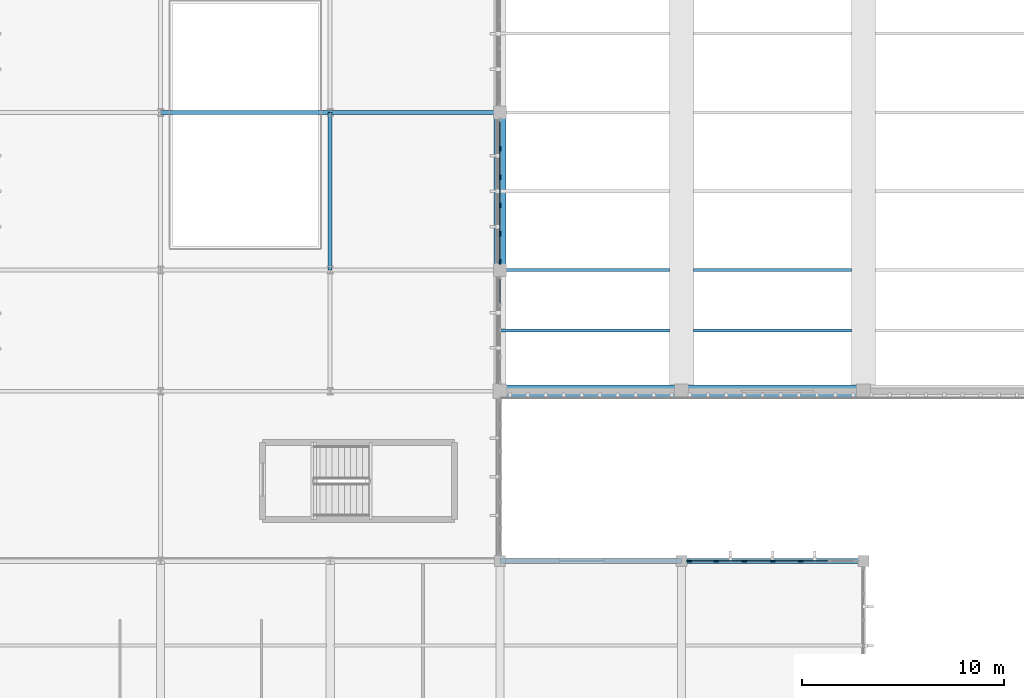
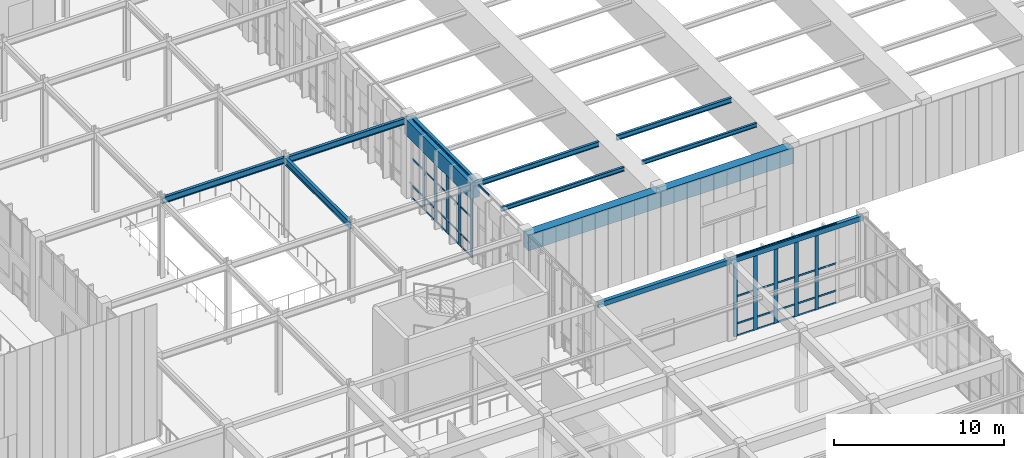
# One storey, part 25 of 105: 51 members, 12 beams, 3 elements without a shape of their own.
"""IFC4 building model written with IfcOpenShell, lengths in metres."""

from ifc_helpers import new_model, si_unit, direction, frame, origin, origin_2d, place, context, subcontext, project, spatial, rectangle, hollow_rectangle, i_section, extrude, material, material_profile, profile_set, type_object, element, aggregate, save


model = new_model("IFC4")

# Units and contexts
model_context = context("Model", 3, precision=1e-05, world=origin(), true_north=direction((0.0, 1.0)))
body_context = subcontext(model_context, "Body", "Model", "MODEL_VIEW")
ifc_project = project(units=[si_unit("LENGTHUNIT", "METRE"), si_unit("AREAUNIT", "SQUARE_METRE"), si_unit("VOLUMEUNIT", "CUBIC_METRE"), si_unit("PLANEANGLEUNIT", "RADIAN"), si_unit("MASSUNIT", "GRAM", prefix="KILO")], contexts=[model_context])

# Site, building, storey
site_placement = place(None, origin())
site = spatial("IfcSite", under=ifc_project, at=site_placement, CompositionType="ELEMENT")
building_placement = place(site_placement, origin())
building = spatial("IfcBuilding", under=site, at=building_placement, Name="Tizgana Railside Sports Hall", CompositionType="ELEMENT")
storey_placement = place(building_placement, frame((0.0, 0.0, 6.0)))
storey = spatial("IfcBuildingStorey", under=building, at=storey_placement, Name="L01", CompositionType="ELEMENT", Elevation=6.0)

# Beams
ifc_material_1 = material(Name="Concrete C40/50", Category="concrete")
ifc_material_profile_1 = material_profile(ifc_material_1, rectangle(XDim=0.60009765625, YDim=1.14990234375, at=origin_2d()), Name="RCB 600x1150")
ifc_profile_set_1 = profile_set([ifc_material_profile_1], Name="Concrete C40/50")
beam_type_1 = type_object("IfcBeamType", Name="Concrete Beam RCB 600x1150", PredefinedType="BEAM", material=ifc_profile_set_1)
beam_1_placement = place(storey_placement, frame((79.800048828125, 46.800048828125, 5.06103515625), z_axis=(0.0, 1.0, 0.0), x_axis=(-1.0, 0.0, 0.0)))
element("IfcBeam", 1, at=beam_1_placement, inside=storey, type_object=beam_type_1, Name="L01 CBG-0002", PredefinedType="BEAM", context=body_context, shape_type="SweptSolid", body=[
    extrude(rectangle(XDim=0.60009765625, YDim=1.14990234375, at=origin_2d()), origin(), (0.0, 0.0, 1.0), 7.800048828125),
])
for number, where, z_axis, x_axis, name in (
    (2, (79.800048828125, 40.800048828125, 5.06103515625), (1.0, 0.0, 0.0), (0.0, 1.0, 0.0), "L01 BEM-0261"),
    (3, (88.800048828125, 40.800048828125, 5.06103515625), (1.0, 0.0, 0.0), (0.0, 1.0, 0.0), "L01 BEM-0273"),
):
    element("IfcBeam", number, at=place(storey_placement, frame(where, z_axis=z_axis, x_axis=x_axis)), inside=storey, type_object=beam_type_1, Name=name, PredefinedType="BEAM", context=body_context, shape_type="SweptSolid", body=[
        extrude(rectangle(XDim=0.60009765625, YDim=1.14990234375, at=origin_2d()), origin(), (0.0, 0.0, 1.0), 9.0),
    ])

# Curtain wall, members
ifc_material_2 = material(Name="Anodised aluminium and glass", Category="aluminium")
curtain_wall_type_1 = type_object("IfcCurtainWallType", Name="Unitised Curtain Wall EastHall 1500", PredefinedType="NOTDEFINED", material=ifc_material_2)
curtain_wall_1_placement = place(storey_placement, origin())
curtain_wall_1 = element("IfcCurtainWall", 4, at=curtain_wall_1_placement, inside=storey, type_object=curtain_wall_type_1, Name="L01 Curtain Wall CW-0095", PredefinedType="NOTDEFINED")
ifc_material_3 = material(Name="Anodised aluminium", Category="aluminium")
ifc_material_profile_2 = material_profile(ifc_material_3, rectangle(XDim=0.074951171875, YDim=0.25, at=origin_2d()), Name="Mullion 75x250")
ifc_profile_set_2 = profile_set([ifc_material_profile_2], Name="Anodised aluminium")
member_type_1 = type_object("IfcMemberType", Name="Mullion 75x250", PredefinedType="MULLION", material=ifc_profile_set_2)
member_1_placement = place(storey_placement, frame((89.16748046875, 32.39990234375, 0.0), z_axis=(0.0, 0.0, 1.0), x_axis=(0.0, 1.0, 0.0)))
member_1 = element("IfcMember", 5, at=member_1_placement, type_object=member_type_1, Name="CW-08 mullion 1", PredefinedType="MULLION", context=body_context, shape_type="SweptSolid", body=[
    extrude(rectangle(XDim=0.074951171875, YDim=0.25, at=origin_2d()), origin(), (0.0, 0.0, 1.0), 5.719970703125),
])
member_2_placement = place(storey_placement, frame((90.52001953125, 32.39990234375, 0.0), z_axis=(0.0, 0.0, 1.0), x_axis=(0.0, 1.0, 0.0)))
member_2 = element("IfcMember", 6, at=member_2_placement, type_object=member_type_1, Name="CW-08 mullion 2", PredefinedType="MULLION", context=body_context, shape_type="SweptSolid", body=[
    extrude(rectangle(XDim=0.074951171875, YDim=0.25, at=origin_2d()), origin(), (0.0, 0.0, 1.0), 5.719970703125),
])
member_3_placement = place(storey_placement, frame((91.909912109375, 32.39990234375, 0.0), z_axis=(0.0, 0.0, 1.0), x_axis=(0.0, 1.0, 0.0)))
member_3 = element("IfcMember", 7, at=member_3_placement, type_object=member_type_1, Name="CW-08 mullion 3", PredefinedType="MULLION", context=body_context, shape_type="SweptSolid", body=[
    extrude(rectangle(XDim=0.074951171875, YDim=0.25, at=origin_2d()), origin(), (0.0, 0.0, 1.0), 5.719970703125),
])
member_4_placement = place(storey_placement, frame((93.300048828125, 32.39990234375, 0.0), z_axis=(0.0, 0.0, 1.0), x_axis=(0.0, 1.0, 0.0)))
member_4 = element("IfcMember", 8, at=member_4_placement, type_object=member_type_1, Name="CW-08 mullion 4", PredefinedType="MULLION", context=body_context, shape_type="SweptSolid", body=[
    extrude(rectangle(XDim=0.074951171875, YDim=0.25, at=origin_2d()), origin(), (0.0, 0.0, 1.0), 5.719970703125),
])
member_5_placement = place(storey_placement, frame((94.68994140625, 32.39990234375, 0.0), z_axis=(0.0, 0.0, 1.0), x_axis=(0.0, 1.0, 0.0)))
member_5 = element("IfcMember", 9, at=member_5_placement, type_object=member_type_1, Name="CW-08 mullion 5", PredefinedType="MULLION", context=body_context, shape_type="SweptSolid", body=[
    extrude(rectangle(XDim=0.074951171875, YDim=0.25, at=origin_2d()), origin(), (0.0, 0.0, 1.0), 5.719970703125),
])

curtain_wall_type_2 = type_object("IfcCurtainWallType", Name="Unitised Curtain Wall Foyer 1300", PredefinedType="NOTDEFINED", material=ifc_material_2)
curtain_wall_2_placement = place(storey_placement, origin())
curtain_wall_2 = element("IfcCurtainWall", 10, at=curtain_wall_2_placement, inside=storey, type_object=curtain_wall_type_2, Name="L01 Curtain Wall CW-0161", PredefinedType="NOTDEFINED")
member_6_placement = place(storey_placement, frame((79.800048828125, 47.217529296875, 0.0), z_axis=(0.0, 0.0, 1.0), x_axis=(-1.0, 0.0, 0.0)))
member_6 = element("IfcMember", 11, at=member_6_placement, type_object=member_type_1, Name="CW-02 mullion 1", PredefinedType="MULLION", context=body_context, shape_type="SweptSolid", body=[
    extrude(rectangle(XDim=0.074951171875, YDim=0.25, at=origin_2d()), origin(), (0.0, 0.0, 1.0), 5.68994140625),
])
member_7_placement = place(storey_placement, frame((79.800048828125, 48.587890625, 0.0), z_axis=(0.0, 0.0, 1.0), x_axis=(-1.0, 0.0, 0.0)))
member_7 = element("IfcMember", 12, at=member_7_placement, type_object=member_type_1, Name="CW-02 mullion 2", PredefinedType="MULLION", context=body_context, shape_type="SweptSolid", body=[
    extrude(rectangle(XDim=0.074951171875, YDim=0.25, at=origin_2d()), origin(), (0.0, 0.0, 1.0), 5.68994140625),
])
member_8_placement = place(storey_placement, frame((79.800048828125, 49.99609375, 0.0), z_axis=(0.0, 0.0, 1.0), x_axis=(-1.0, 0.0, 0.0)))
member_8 = element("IfcMember", 13, at=member_8_placement, type_object=member_type_1, Name="CW-02 mullion 3", PredefinedType="MULLION", context=body_context, shape_type="SweptSolid", body=[
    extrude(rectangle(XDim=0.074951171875, YDim=0.25, at=origin_2d()), origin(), (0.0, 0.0, 1.0), 5.68994140625),
])
member_9_placement = place(storey_placement, frame((79.800048828125, 51.404052734375, 0.0), z_axis=(0.0, 0.0, 1.0), x_axis=(-1.0, 0.0, 0.0)))
member_9 = element("IfcMember", 14, at=member_9_placement, type_object=member_type_1, Name="CW-02 mullion 4", PredefinedType="MULLION", context=body_context, shape_type="SweptSolid", body=[
    extrude(rectangle(XDim=0.074951171875, YDim=0.25, at=origin_2d()), origin(), (0.0, 0.0, 1.0), 5.68994140625),
])
member_10_placement = place(storey_placement, frame((79.800048828125, 52.81201171875, 0.0), z_axis=(0.0, 0.0, 1.0), x_axis=(-1.0, 0.0, 0.0)))
member_10 = element("IfcMember", 15, at=member_10_placement, type_object=member_type_1, Name="CW-02 mullion 5", PredefinedType="MULLION", context=body_context, shape_type="SweptSolid", body=[
    extrude(rectangle(XDim=0.074951171875, YDim=0.25, at=origin_2d()), origin(), (0.0, 0.0, 1.0), 5.68994140625),
])

# Beams
ifc_material_4 = material(Name="Steel S355J2", Category="steel")
ifc_material_profile_3 = material_profile(ifc_material_4, i_section(OverallWidth=0.18994140625, OverallDepth=0.449951171875, WebThickness=0.009521484375, FlangeThickness=0.0146484375, FilletRadius=0.02099609375, at=origin_2d()), Name="IPE 450")
ifc_profile_set_3 = profile_set([ifc_material_profile_3], Name="Steel S355J2")
beam_type_2 = type_object("IfcBeamType", Name="Steel Beam IPE 450", PredefinedType="BEAM", material=ifc_profile_set_3)
beam_2_placement = place(storey_placement, frame((63.0, 54.60009765625, 5.4609375), z_axis=(1.0, 0.0, 0.0), x_axis=(0.0, 1.0, 0.0)))
element("IfcBeam", 16, at=beam_2_placement, inside=storey, type_object=beam_type_2, Name="L01 BEM-0976", PredefinedType="BEAM", context=body_context, shape_type="SweptSolid", body=[
    extrude(i_section(OverallWidth=0.18994140625, OverallDepth=0.449951171875, WebThickness=0.009521484375, FlangeThickness=0.0146484375, FilletRadius=0.02099609375, at=origin_2d()), origin(), (0.0, 0.0, 1.0), 8.39990234375),
])
beam_3_placement = place(storey_placement, frame((71.39990234375, 54.60009765625, 5.410888671875), z_axis=(1.0, 0.0, 0.0), x_axis=(0.0, 1.0, 0.0)))
element("IfcBeam", 17, at=beam_3_placement, inside=storey, type_object=beam_type_2, Name="L01 BEM-0983", PredefinedType="BEAM", context=body_context, shape_type="SweptSolid", body=[
    extrude(i_section(OverallWidth=0.18994140625, OverallDepth=0.449951171875, WebThickness=0.009521484375, FlangeThickness=0.0146484375, FilletRadius=0.02099609375, at=origin_2d()), origin(), (0.0, 0.0, 1.0), 8.400146484375),
])
ifc_material_profile_4 = material_profile(ifc_material_4, i_section(OverallWidth=0.199951171875, OverallDepth=0.5, WebThickness=0.01025390625, FlangeThickness=0.01611328125, FilletRadius=0.02099609375, at=origin_2d()), Name="IPE 500")
ifc_profile_set_4 = profile_set([ifc_material_profile_4], Name="Steel S355J2")
beam_type_3 = type_object("IfcBeamType", Name="Steel Beam IPE 500", PredefinedType="BEAM", material=ifc_profile_set_4)
beam_4_placement = place(storey_placement, frame((71.39990234375, 46.800048828125, 5.43603515625), z_axis=(0.0, 1.0, 0.0), x_axis=(-1.0, 0.0, 0.0)))
element("IfcBeam", 18, at=beam_4_placement, inside=storey, type_object=beam_type_3, Name="L01 BEM-0961", PredefinedType="BEAM", context=body_context, shape_type="SweptSolid", body=[
    extrude(i_section(OverallWidth=0.199951171875, OverallDepth=0.5, WebThickness=0.01025390625, FlangeThickness=0.01611328125, FilletRadius=0.02099609375, at=origin_2d()), origin(), (0.0, 0.0, 1.0), 7.800048828125),
])
ifc_material_profile_5 = material_profile(ifc_material_4, i_section(OverallWidth=0.14990234375, OverallDepth=0.300048828125, WebThickness=0.007080078125, FlangeThickness=0.0107421875, FilletRadius=0.014892578125, at=origin_2d()), Name="IPE 300")
ifc_profile_set_5 = profile_set([ifc_material_profile_5], Name="Steel S355J2")
beam_type_4 = type_object("IfcBeamType", Name="Steel Joist IPE 300", PredefinedType="JOIST", material=ifc_profile_set_5)
beam_5_placement = place(storey_placement, frame((79.800048828125, 43.800048828125, 5.486083984375), z_axis=(1.0, 0.0, 0.0), x_axis=(0.0, 1.0, 0.0)))
element("IfcBeam", 19, at=beam_5_placement, inside=storey, type_object=beam_type_4, Name="L01 BEM-0268", PredefinedType="JOIST", context=body_context, shape_type="SweptSolid", body=[
    extrude(i_section(OverallWidth=0.14990234375, OverallDepth=0.300048828125, WebThickness=0.007080078125, FlangeThickness=0.0107421875, FilletRadius=0.014892578125, at=origin_2d()), origin(), (0.0, 0.0, 1.0), 8.405029296875),
])
beam_6_placement = place(storey_placement, frame((89.39501953125, 43.800048828125, 5.486083984375), z_axis=(1.0, 0.0, 0.0), x_axis=(0.0, 1.0, 0.0)))
element("IfcBeam", 20, at=beam_6_placement, inside=storey, type_object=beam_type_4, Name="L01 BEM-0280", PredefinedType="JOIST", context=body_context, shape_type="SweptSolid", body=[
    extrude(i_section(OverallWidth=0.14990234375, OverallDepth=0.300048828125, WebThickness=0.007080078125, FlangeThickness=0.0107421875, FilletRadius=0.014892578125, at=origin_2d()), origin(), (0.0, 0.0, 1.0), 7.81005859375),
])
ifc_material_profile_6 = material_profile(ifc_material_4, i_section(OverallWidth=0.169921875, OverallDepth=0.360107421875, WebThickness=0.008056640625, FlangeThickness=0.0126953125, FilletRadius=0.01806640625, at=origin_2d()), Name="IPE 360")
ifc_profile_set_6 = profile_set([ifc_material_profile_6], Name="Steel S355J2")
beam_type_5 = type_object("IfcBeamType", Name="Steel Joist IPE 360", PredefinedType="JOIST", material=ifc_profile_set_6)
beam_7_placement = place(storey_placement, frame((79.800048828125, 46.800048828125, 5.4560546875), z_axis=(1.0, 0.0, 0.0), x_axis=(0.0, 1.0, 0.0)))
element("IfcBeam", 21, at=beam_7_placement, inside=storey, type_object=beam_type_5, Name="L01 BEM-0262", PredefinedType="JOIST", context=body_context, shape_type="SweptSolid", body=[
    extrude(i_section(OverallWidth=0.169921875, OverallDepth=0.360107421875, WebThickness=0.008056640625, FlangeThickness=0.0126953125, FilletRadius=0.01806640625, at=origin_2d()), origin(), (0.0, 0.0, 1.0), 8.405029296875),
])
beam_8_placement = place(storey_placement, frame((89.39501953125, 46.800048828125, 5.4560546875), z_axis=(1.0, 0.0, 0.0), x_axis=(0.0, 1.0, 0.0)))
element("IfcBeam", 22, at=beam_8_placement, inside=storey, type_object=beam_type_5, Name="L01 BEM-0274", PredefinedType="JOIST", context=body_context, shape_type="SweptSolid", body=[
    extrude(i_section(OverallWidth=0.169921875, OverallDepth=0.360107421875, WebThickness=0.008056640625, FlangeThickness=0.0126953125, FilletRadius=0.01806640625, at=origin_2d()), origin(), (0.0, 0.0, 1.0), 7.81005859375),
])
ifc_material_profile_7 = material_profile(ifc_material_4, hollow_rectangle(XDim=0.25, YDim=0.35009765625, WallThickness=0.011962890625, at=origin_2d()), Name="RHS 350x250x12")
ifc_profile_set_7 = profile_set([ifc_material_profile_7], Name="Steel S355J2")
beam_type_6 = type_object("IfcBeamType", Name="Steel Spandrel RHS 350x250x12", PredefinedType="SPANDREL", material=ifc_profile_set_7)
for number, where, z_axis, x_axis, name in (
    (23, (79.800048828125, 32.39990234375, 5.56103515625), (1.0, 0.0, 0.0), (0.0, 1.0, 0.0), "L01 BEM-0583"),
    (24, (88.800048828125, 32.39990234375, 5.56103515625), (1.0, 0.0, 0.0), (0.0, 1.0, 0.0), "L01 BEM-0592"),
):
    element("IfcBeam", number, at=place(storey_placement, frame(where, z_axis=z_axis, x_axis=x_axis)), inside=storey, type_object=beam_type_6, Name=name, PredefinedType="SPANDREL", context=body_context, shape_type="SweptSolid", body=[
        extrude(hollow_rectangle(XDim=0.25, YDim=0.35009765625, WallThickness=0.011962890625, at=origin_2d()), origin(), (0.0, 0.0, 1.0), 9.0),
    ])

# Member
ifc_material_profile_8 = material_profile(ifc_material_3, rectangle(XDim=0.054931640625, YDim=0.1201171875, at=origin_2d()), Name="Transom 55x120")
ifc_profile_set_8 = profile_set([ifc_material_profile_8], Name="Anodised aluminium")
member_type_2 = type_object("IfcMemberType", Name="Transom 55x120", PredefinedType="USERDEFINED", material=ifc_profile_set_8)
member_11_placement = place(storey_placement, frame((89.205078125, 32.39990234375, 0.027587890625), z_axis=(1.0, 0.0, 0.0), x_axis=(0.0, 1.0, 0.0)))
member_11 = element("IfcMember", 25, at=member_11_placement, type_object=member_type_2, Name="CW-08 transom 1.1", ObjectType="TRANSOM", PredefinedType="USERDEFINED", context=body_context, shape_type="SweptSolid", body=[
    extrude(rectangle(XDim=0.054931640625, YDim=0.1201171875, at=origin_2d()), origin(), (0.0, 0.0, 1.0), 1.27734375),
])

member_12_placement = place(storey_placement, frame((89.205078125, 32.39990234375, 0.89990234375), z_axis=(1.0, 0.0, 0.0), x_axis=(0.0, 1.0, 0.0)))
member_12 = element("IfcMember", 26, at=member_12_placement, type_object=member_type_2, Name="CW-08 transom 1.2", ObjectType="TRANSOM", PredefinedType="USERDEFINED", context=body_context, shape_type="SweptSolid", body=[
    extrude(rectangle(XDim=0.054931640625, YDim=0.1201171875, at=origin_2d()), origin(), (0.0, 0.0, 1.0), 1.27734375),
])

member_13_placement = place(storey_placement, frame((89.205078125, 32.39990234375, 2.860107421875), z_axis=(1.0, 0.0, 0.0), x_axis=(0.0, 1.0, 0.0)))
member_13 = element("IfcMember", 27, at=member_13_placement, type_object=member_type_2, Name="CW-08 transom 1.3", ObjectType="TRANSOM", PredefinedType="USERDEFINED", context=body_context, shape_type="SweptSolid", body=[
    extrude(rectangle(XDim=0.054931640625, YDim=0.1201171875, at=origin_2d()), origin(), (0.0, 0.0, 1.0), 1.27734375),
])

member_14_placement = place(storey_placement, frame((89.205078125, 32.39990234375, 5.6923828125), z_axis=(1.0, 0.0, 0.0), x_axis=(0.0, 1.0, 0.0)))
member_14 = element("IfcMember", 28, at=member_14_placement, type_object=member_type_2, Name="CW-08 transom 1.4", ObjectType="TRANSOM", PredefinedType="USERDEFINED", context=body_context, shape_type="SweptSolid", body=[
    extrude(rectangle(XDim=0.054931640625, YDim=0.1201171875, at=origin_2d()), origin(), (0.0, 0.0, 1.0), 1.27734375),
])

member_15_placement = place(storey_placement, frame((90.5576171875, 32.39990234375, 0.027587890625), z_axis=(1.0, 0.0, 0.0), x_axis=(0.0, 1.0, 0.0)))
member_15 = element("IfcMember", 29, at=member_15_placement, type_object=member_type_2, Name="CW-08 transom 2.1", ObjectType="TRANSOM", PredefinedType="USERDEFINED", context=body_context, shape_type="SweptSolid", body=[
    extrude(rectangle(XDim=0.054931640625, YDim=0.1201171875, at=origin_2d()), origin(), (0.0, 0.0, 1.0), 1.31494140625),
])

member_16_placement = place(storey_placement, frame((90.5576171875, 32.39990234375, 0.89990234375), z_axis=(1.0, 0.0, 0.0), x_axis=(0.0, 1.0, 0.0)))
member_16 = element("IfcMember", 30, at=member_16_placement, type_object=member_type_2, Name="CW-08 transom 2.2", ObjectType="TRANSOM", PredefinedType="USERDEFINED", context=body_context, shape_type="SweptSolid", body=[
    extrude(rectangle(XDim=0.054931640625, YDim=0.1201171875, at=origin_2d()), origin(), (0.0, 0.0, 1.0), 1.31494140625),
])

member_17_placement = place(storey_placement, frame((90.5576171875, 32.39990234375, 2.860107421875), z_axis=(1.0, 0.0, 0.0), x_axis=(0.0, 1.0, 0.0)))
member_17 = element("IfcMember", 31, at=member_17_placement, type_object=member_type_2, Name="CW-08 transom 2.3", ObjectType="TRANSOM", PredefinedType="USERDEFINED", context=body_context, shape_type="SweptSolid", body=[
    extrude(rectangle(XDim=0.054931640625, YDim=0.1201171875, at=origin_2d()), origin(), (0.0, 0.0, 1.0), 1.31494140625),
])

member_18_placement = place(storey_placement, frame((90.5576171875, 32.39990234375, 5.6923828125), z_axis=(1.0, 0.0, 0.0), x_axis=(0.0, 1.0, 0.0)))
member_18 = element("IfcMember", 32, at=member_18_placement, type_object=member_type_2, Name="CW-08 transom 2.4", ObjectType="TRANSOM", PredefinedType="USERDEFINED", context=body_context, shape_type="SweptSolid", body=[
    extrude(rectangle(XDim=0.054931640625, YDim=0.1201171875, at=origin_2d()), origin(), (0.0, 0.0, 1.0), 1.31494140625),
])

member_19_placement = place(storey_placement, frame((91.947509765625, 32.39990234375, 0.027587890625), z_axis=(1.0, 0.0, 0.0), x_axis=(0.0, 1.0, 0.0)))
member_19 = element("IfcMember", 33, at=member_19_placement, type_object=member_type_2, Name="CW-08 transom 3.1", ObjectType="TRANSOM", PredefinedType="USERDEFINED", context=body_context, shape_type="SweptSolid", body=[
    extrude(rectangle(XDim=0.054931640625, YDim=0.1201171875, at=origin_2d()), origin(), (0.0, 0.0, 1.0), 1.31494140625),
])

member_20_placement = place(storey_placement, frame((91.947509765625, 32.39990234375, 0.89990234375), z_axis=(1.0, 0.0, 0.0), x_axis=(0.0, 1.0, 0.0)))
member_20 = element("IfcMember", 34, at=member_20_placement, type_object=member_type_2, Name="CW-08 transom 3.2", ObjectType="TRANSOM", PredefinedType="USERDEFINED", context=body_context, shape_type="SweptSolid", body=[
    extrude(rectangle(XDim=0.054931640625, YDim=0.1201171875, at=origin_2d()), origin(), (0.0, 0.0, 1.0), 1.31494140625),
])

member_21_placement = place(storey_placement, frame((91.947509765625, 32.39990234375, 2.860107421875), z_axis=(1.0, 0.0, 0.0), x_axis=(0.0, 1.0, 0.0)))
member_21 = element("IfcMember", 35, at=member_21_placement, type_object=member_type_2, Name="CW-08 transom 3.3", ObjectType="TRANSOM", PredefinedType="USERDEFINED", context=body_context, shape_type="SweptSolid", body=[
    extrude(rectangle(XDim=0.054931640625, YDim=0.1201171875, at=origin_2d()), origin(), (0.0, 0.0, 1.0), 1.31494140625),
])

member_22_placement = place(storey_placement, frame((91.947509765625, 32.39990234375, 5.6923828125), z_axis=(1.0, 0.0, 0.0), x_axis=(0.0, 1.0, 0.0)))
member_22 = element("IfcMember", 36, at=member_22_placement, type_object=member_type_2, Name="CW-08 transom 3.4", ObjectType="TRANSOM", PredefinedType="USERDEFINED", context=body_context, shape_type="SweptSolid", body=[
    extrude(rectangle(XDim=0.054931640625, YDim=0.1201171875, at=origin_2d()), origin(), (0.0, 0.0, 1.0), 1.31494140625),
])

member_23_placement = place(storey_placement, frame((93.33740234375, 32.39990234375, 0.027587890625), z_axis=(1.0, 0.0, 0.0), x_axis=(0.0, 1.0, 0.0)))
member_23 = element("IfcMember", 37, at=member_23_placement, type_object=member_type_2, Name="CW-08 transom 4.1", ObjectType="TRANSOM", PredefinedType="USERDEFINED", context=body_context, shape_type="SweptSolid", body=[
    extrude(rectangle(XDim=0.054931640625, YDim=0.1201171875, at=origin_2d()), origin(), (0.0, 0.0, 1.0), 1.315185546875),
])

member_24_placement = place(storey_placement, frame((93.33740234375, 32.39990234375, 0.89990234375), z_axis=(1.0, 0.0, 0.0), x_axis=(0.0, 1.0, 0.0)))
member_24 = element("IfcMember", 38, at=member_24_placement, type_object=member_type_2, Name="CW-08 transom 4.2", ObjectType="TRANSOM", PredefinedType="USERDEFINED", context=body_context, shape_type="SweptSolid", body=[
    extrude(rectangle(XDim=0.054931640625, YDim=0.1201171875, at=origin_2d()), origin(), (0.0, 0.0, 1.0), 1.315185546875),
])

member_25_placement = place(storey_placement, frame((93.33740234375, 32.39990234375, 2.860107421875), z_axis=(1.0, 0.0, 0.0), x_axis=(0.0, 1.0, 0.0)))
member_25 = element("IfcMember", 39, at=member_25_placement, type_object=member_type_2, Name="CW-08 transom 4.3", ObjectType="TRANSOM", PredefinedType="USERDEFINED", context=body_context, shape_type="SweptSolid", body=[
    extrude(rectangle(XDim=0.054931640625, YDim=0.1201171875, at=origin_2d()), origin(), (0.0, 0.0, 1.0), 1.315185546875),
])

member_26_placement = place(storey_placement, frame((93.33740234375, 32.39990234375, 5.6923828125), z_axis=(1.0, 0.0, 0.0), x_axis=(0.0, 1.0, 0.0)))
member_26 = element("IfcMember", 40, at=member_26_placement, type_object=member_type_2, Name="CW-08 transom 4.4", ObjectType="TRANSOM", PredefinedType="USERDEFINED", context=body_context, shape_type="SweptSolid", body=[
    extrude(rectangle(XDim=0.054931640625, YDim=0.1201171875, at=origin_2d()), origin(), (0.0, 0.0, 1.0), 1.315185546875),
])

member_27_placement = place(storey_placement, frame((94.7275390625, 32.39990234375, 0.027587890625), z_axis=(1.0, 0.0, 0.0), x_axis=(0.0, 1.0, 0.0)))
member_27 = element("IfcMember", 41, at=member_27_placement, type_object=member_type_2, Name="CW-08 transom 5.1", ObjectType="TRANSOM", PredefinedType="USERDEFINED", context=body_context, shape_type="SweptSolid", body=[
    extrude(rectangle(XDim=0.054931640625, YDim=0.1201171875, at=origin_2d()), origin(), (0.0, 0.0, 1.0), 1.31494140625),
])

member_28_placement = place(storey_placement, frame((94.7275390625, 32.39990234375, 0.89990234375), z_axis=(1.0, 0.0, 0.0), x_axis=(0.0, 1.0, 0.0)))
member_28 = element("IfcMember", 42, at=member_28_placement, type_object=member_type_2, Name="CW-08 transom 5.2", ObjectType="TRANSOM", PredefinedType="USERDEFINED", context=body_context, shape_type="SweptSolid", body=[
    extrude(rectangle(XDim=0.054931640625, YDim=0.1201171875, at=origin_2d()), origin(), (0.0, 0.0, 1.0), 1.31494140625),
])

member_29_placement = place(storey_placement, frame((94.7275390625, 32.39990234375, 2.860107421875), z_axis=(1.0, 0.0, 0.0), x_axis=(0.0, 1.0, 0.0)))
member_29 = element("IfcMember", 43, at=member_29_placement, type_object=member_type_2, Name="CW-08 transom 5.3", ObjectType="TRANSOM", PredefinedType="USERDEFINED", context=body_context, shape_type="SweptSolid", body=[
    extrude(rectangle(XDim=0.054931640625, YDim=0.1201171875, at=origin_2d()), origin(), (0.0, 0.0, 1.0), 1.31494140625),
])

member_30_placement = place(storey_placement, frame((94.7275390625, 32.39990234375, 5.6923828125), z_axis=(1.0, 0.0, 0.0), x_axis=(0.0, 1.0, 0.0)))
member_30 = element("IfcMember", 44, at=member_30_placement, type_object=member_type_2, Name="CW-08 transom 5.4", ObjectType="TRANSOM", PredefinedType="USERDEFINED", context=body_context, shape_type="SweptSolid", body=[
    extrude(rectangle(XDim=0.054931640625, YDim=0.1201171875, at=origin_2d()), origin(), (0.0, 0.0, 1.0), 1.31494140625),
])

aggregate(curtain_wall_1, [member_1, member_2, member_3, member_4, member_5, member_11, member_12, member_13, member_14, member_15, member_16, member_17, member_18, member_19, member_20, member_21, member_22, member_23, member_24, member_25, member_26, member_27, member_28, member_29, member_30])

member_31_placement = place(storey_placement, frame((79.800048828125, 47.2548828125, 0.027587890625), z_axis=(0.0, 1.0, 0.0), x_axis=(-1.0, 0.0, 0.0)))
member_31 = element("IfcMember", 45, at=member_31_placement, type_object=member_type_2, Name="CW-02 transom 1.1", ObjectType="TRANSOM", PredefinedType="USERDEFINED", context=body_context, shape_type="SweptSolid", body=[
    extrude(rectangle(XDim=0.054931640625, YDim=0.1201171875, at=origin_2d()), origin(), (0.0, 0.0, 1.0), 1.295654296875),
])

member_32_placement = place(storey_placement, frame((79.800048828125, 47.2548828125, 0.89990234375), z_axis=(0.0, 1.0, 0.0), x_axis=(-1.0, 0.0, 0.0)))
member_32 = element("IfcMember", 46, at=member_32_placement, type_object=member_type_2, Name="CW-02 transom 1.2", ObjectType="TRANSOM", PredefinedType="USERDEFINED", context=body_context, shape_type="SweptSolid", body=[
    extrude(rectangle(XDim=0.054931640625, YDim=0.1201171875, at=origin_2d()), origin(), (0.0, 0.0, 1.0), 1.295654296875),
])

member_33_placement = place(storey_placement, frame((79.800048828125, 47.2548828125, 2.844970703125), z_axis=(0.0, 1.0, 0.0), x_axis=(-1.0, 0.0, 0.0)))
member_33 = element("IfcMember", 47, at=member_33_placement, type_object=member_type_2, Name="CW-02 transom 1.3", ObjectType="TRANSOM", PredefinedType="USERDEFINED", context=body_context, shape_type="SweptSolid", body=[
    extrude(rectangle(XDim=0.054931640625, YDim=0.1201171875, at=origin_2d()), origin(), (0.0, 0.0, 1.0), 1.295654296875),
])

member_34_placement = place(storey_placement, frame((79.800048828125, 47.2548828125, 5.66259765625), z_axis=(0.0, 1.0, 0.0), x_axis=(-1.0, 0.0, 0.0)))
member_34 = element("IfcMember", 48, at=member_34_placement, type_object=member_type_2, Name="CW-02 transom 1.4", ObjectType="TRANSOM", PredefinedType="USERDEFINED", context=body_context, shape_type="SweptSolid", body=[
    extrude(rectangle(XDim=0.054931640625, YDim=0.1201171875, at=origin_2d()), origin(), (0.0, 0.0, 1.0), 1.295654296875),
])

member_35_placement = place(storey_placement, frame((79.800048828125, 48.62548828125, 0.027587890625), z_axis=(0.0, 1.0, 0.0), x_axis=(-1.0, 0.0, 0.0)))
member_35 = element("IfcMember", 49, at=member_35_placement, type_object=member_type_2, Name="CW-02 transom 2.1", ObjectType="TRANSOM", PredefinedType="USERDEFINED", context=body_context, shape_type="SweptSolid", body=[
    extrude(rectangle(XDim=0.054931640625, YDim=0.1201171875, at=origin_2d()), origin(), (0.0, 0.0, 1.0), 1.3330078125),
])

member_36_placement = place(storey_placement, frame((79.800048828125, 48.62548828125, 0.89990234375), z_axis=(0.0, 1.0, 0.0), x_axis=(-1.0, 0.0, 0.0)))
member_36 = element("IfcMember", 50, at=member_36_placement, type_object=member_type_2, Name="CW-02 transom 2.2", ObjectType="TRANSOM", PredefinedType="USERDEFINED", context=body_context, shape_type="SweptSolid", body=[
    extrude(rectangle(XDim=0.054931640625, YDim=0.1201171875, at=origin_2d()), origin(), (0.0, 0.0, 1.0), 1.3330078125),
])

member_37_placement = place(storey_placement, frame((79.800048828125, 48.62548828125, 2.844970703125), z_axis=(0.0, 1.0, 0.0), x_axis=(-1.0, 0.0, 0.0)))
member_37 = element("IfcMember", 51, at=member_37_placement, type_object=member_type_2, Name="CW-02 transom 2.3", ObjectType="TRANSOM", PredefinedType="USERDEFINED", context=body_context, shape_type="SweptSolid", body=[
    extrude(rectangle(XDim=0.054931640625, YDim=0.1201171875, at=origin_2d()), origin(), (0.0, 0.0, 1.0), 1.3330078125),
])

member_38_placement = place(storey_placement, frame((79.800048828125, 48.62548828125, 5.66259765625), z_axis=(0.0, 1.0, 0.0), x_axis=(-1.0, 0.0, 0.0)))
member_38 = element("IfcMember", 52, at=member_38_placement, type_object=member_type_2, Name="CW-02 transom 2.4", ObjectType="TRANSOM", PredefinedType="USERDEFINED", context=body_context, shape_type="SweptSolid", body=[
    extrude(rectangle(XDim=0.054931640625, YDim=0.1201171875, at=origin_2d()), origin(), (0.0, 0.0, 1.0), 1.3330078125),
])

member_39_placement = place(storey_placement, frame((79.800048828125, 50.033447265625, 0.027587890625), z_axis=(0.0, 1.0, 0.0), x_axis=(-1.0, 0.0, 0.0)))
member_39 = element("IfcMember", 53, at=member_39_placement, type_object=member_type_2, Name="CW-02 transom 3.1", ObjectType="TRANSOM", PredefinedType="USERDEFINED", context=body_context, shape_type="SweptSolid", body=[
    extrude(rectangle(XDim=0.054931640625, YDim=0.1201171875, at=origin_2d()), origin(), (0.0, 0.0, 1.0), 1.3330078125),
])

member_40_placement = place(storey_placement, frame((79.800048828125, 50.033447265625, 0.89990234375), z_axis=(0.0, 1.0, 0.0), x_axis=(-1.0, 0.0, 0.0)))
member_40 = element("IfcMember", 54, at=member_40_placement, type_object=member_type_2, Name="CW-02 transom 3.2", ObjectType="TRANSOM", PredefinedType="USERDEFINED", context=body_context, shape_type="SweptSolid", body=[
    extrude(rectangle(XDim=0.054931640625, YDim=0.1201171875, at=origin_2d()), origin(), (0.0, 0.0, 1.0), 1.3330078125),
])

member_41_placement = place(storey_placement, frame((79.800048828125, 50.033447265625, 2.844970703125), z_axis=(0.0, 1.0, 0.0), x_axis=(-1.0, 0.0, 0.0)))
member_41 = element("IfcMember", 55, at=member_41_placement, type_object=member_type_2, Name="CW-02 transom 3.3", ObjectType="TRANSOM", PredefinedType="USERDEFINED", context=body_context, shape_type="SweptSolid", body=[
    extrude(rectangle(XDim=0.054931640625, YDim=0.1201171875, at=origin_2d()), origin(), (0.0, 0.0, 1.0), 1.3330078125),
])

member_42_placement = place(storey_placement, frame((79.800048828125, 50.033447265625, 5.66259765625), z_axis=(0.0, 1.0, 0.0), x_axis=(-1.0, 0.0, 0.0)))
member_42 = element("IfcMember", 56, at=member_42_placement, type_object=member_type_2, Name="CW-02 transom 3.4", ObjectType="TRANSOM", PredefinedType="USERDEFINED", context=body_context, shape_type="SweptSolid", body=[
    extrude(rectangle(XDim=0.054931640625, YDim=0.1201171875, at=origin_2d()), origin(), (0.0, 0.0, 1.0), 1.3330078125),
])

member_43_placement = place(storey_placement, frame((79.800048828125, 51.44140625, 0.027587890625), z_axis=(0.0, 1.0, 0.0), x_axis=(-1.0, 0.0, 0.0)))
member_43 = element("IfcMember", 57, at=member_43_placement, type_object=member_type_2, Name="CW-02 transom 4.1", ObjectType="TRANSOM", PredefinedType="USERDEFINED", context=body_context, shape_type="SweptSolid", body=[
    extrude(rectangle(XDim=0.054931640625, YDim=0.1201171875, at=origin_2d()), origin(), (0.0, 0.0, 1.0), 1.3330078125),
])

member_44_placement = place(storey_placement, frame((79.800048828125, 51.44140625, 0.89990234375), z_axis=(0.0, 1.0, 0.0), x_axis=(-1.0, 0.0, 0.0)))
member_44 = element("IfcMember", 58, at=member_44_placement, type_object=member_type_2, Name="CW-02 transom 4.2", ObjectType="TRANSOM", PredefinedType="USERDEFINED", context=body_context, shape_type="SweptSolid", body=[
    extrude(rectangle(XDim=0.054931640625, YDim=0.1201171875, at=origin_2d()), origin(), (0.0, 0.0, 1.0), 1.3330078125),
])

member_45_placement = place(storey_placement, frame((79.800048828125, 51.44140625, 2.844970703125), z_axis=(0.0, 1.0, 0.0), x_axis=(-1.0, 0.0, 0.0)))
member_45 = element("IfcMember", 59, at=member_45_placement, type_object=member_type_2, Name="CW-02 transom 4.3", ObjectType="TRANSOM", PredefinedType="USERDEFINED", context=body_context, shape_type="SweptSolid", body=[
    extrude(rectangle(XDim=0.054931640625, YDim=0.1201171875, at=origin_2d()), origin(), (0.0, 0.0, 1.0), 1.3330078125),
])

member_46_placement = place(storey_placement, frame((79.800048828125, 51.44140625, 5.66259765625), z_axis=(0.0, 1.0, 0.0), x_axis=(-1.0, 0.0, 0.0)))
member_46 = element("IfcMember", 60, at=member_46_placement, type_object=member_type_2, Name="CW-02 transom 4.4", ObjectType="TRANSOM", PredefinedType="USERDEFINED", context=body_context, shape_type="SweptSolid", body=[
    extrude(rectangle(XDim=0.054931640625, YDim=0.1201171875, at=origin_2d()), origin(), (0.0, 0.0, 1.0), 1.3330078125),
])

member_47_placement = place(storey_placement, frame((79.800048828125, 52.849609375, 0.027587890625), z_axis=(0.0, 1.0, 0.0), x_axis=(-1.0, 0.0, 0.0)))
member_47 = element("IfcMember", 61, at=member_47_placement, type_object=member_type_2, Name="CW-02 transom 5.1", ObjectType="TRANSOM", PredefinedType="USERDEFINED", context=body_context, shape_type="SweptSolid", body=[
    extrude(rectangle(XDim=0.054931640625, YDim=0.1201171875, at=origin_2d()), origin(), (0.0, 0.0, 1.0), 1.29541015625),
])

member_48_placement = place(storey_placement, frame((79.800048828125, 52.849609375, 0.89990234375), z_axis=(0.0, 1.0, 0.0), x_axis=(-1.0, 0.0, 0.0)))
member_48 = element("IfcMember", 62, at=member_48_placement, type_object=member_type_2, Name="CW-02 transom 5.2", ObjectType="TRANSOM", PredefinedType="USERDEFINED", context=body_context, shape_type="SweptSolid", body=[
    extrude(rectangle(XDim=0.054931640625, YDim=0.1201171875, at=origin_2d()), origin(), (0.0, 0.0, 1.0), 1.29541015625),
])

member_49_placement = place(storey_placement, frame((79.800048828125, 52.849609375, 2.844970703125), z_axis=(0.0, 1.0, 0.0), x_axis=(-1.0, 0.0, 0.0)))
member_49 = element("IfcMember", 63, at=member_49_placement, type_object=member_type_2, Name="CW-02 transom 5.3", ObjectType="TRANSOM", PredefinedType="USERDEFINED", context=body_context, shape_type="SweptSolid", body=[
    extrude(rectangle(XDim=0.054931640625, YDim=0.1201171875, at=origin_2d()), origin(), (0.0, 0.0, 1.0), 1.29541015625),
])

member_50_placement = place(storey_placement, frame((79.800048828125, 52.849609375, 5.66259765625), z_axis=(0.0, 1.0, 0.0), x_axis=(-1.0, 0.0, 0.0)))
member_50 = element("IfcMember", 64, at=member_50_placement, type_object=member_type_2, Name="CW-02 transom 5.4", ObjectType="TRANSOM", PredefinedType="USERDEFINED", context=body_context, shape_type="SweptSolid", body=[
    extrude(rectangle(XDim=0.054931640625, YDim=0.1201171875, at=origin_2d()), origin(), (0.0, 0.0, 1.0), 1.29541015625),
])

aggregate(curtain_wall_2, [member_6, member_7, member_8, member_9, member_10, member_31, member_32, member_33, member_34, member_35, member_36, member_37, member_38, member_39, member_40, member_41, member_42, member_43, member_44, member_45, member_46, member_47, member_48, member_49, member_50])

# Curtain wall, member
curtain_wall_3_placement = place(storey_placement, origin())
curtain_wall_3 = element("IfcCurtainWall", 65, at=curtain_wall_3_placement, inside=storey, type_object=curtain_wall_type_1, Name="L01 Curtain Wall CW-0159", PredefinedType="NOTDEFINED")
ifc_material_profile_9 = material_profile(ifc_material_3, rectangle(XDim=0.06494140625, YDim=0.169921875, at=origin_2d()), Name="Transom 65x170")
ifc_profile_set_9 = profile_set([ifc_material_profile_9], Name="Anodised aluminium")
member_type_3 = type_object("IfcMemberType", Name="Transom 65x170", PredefinedType="USERDEFINED", material=ifc_profile_set_9)
member_51_placement = place(storey_placement, frame((79.800048828125, 45.148681640625, 5.657470703125), z_axis=(0.0, 1.0, 0.0), x_axis=(-1.0, 0.0, 0.0)))
member_51 = element("IfcMember", 66, at=member_51_placement, type_object=member_type_3, Name="CW-08 transom 4.4", ObjectType="TRANSOM", PredefinedType="USERDEFINED", context=body_context, shape_type="SweptSolid", body=[
    extrude(rectangle(XDim=0.06494140625, YDim=0.169921875, at=origin_2d()), origin(), (0.0, 0.0, 1.0), 1.206298828125),
])
aggregate(curtain_wall_3, [member_51])

save(model, "model.ifc")
